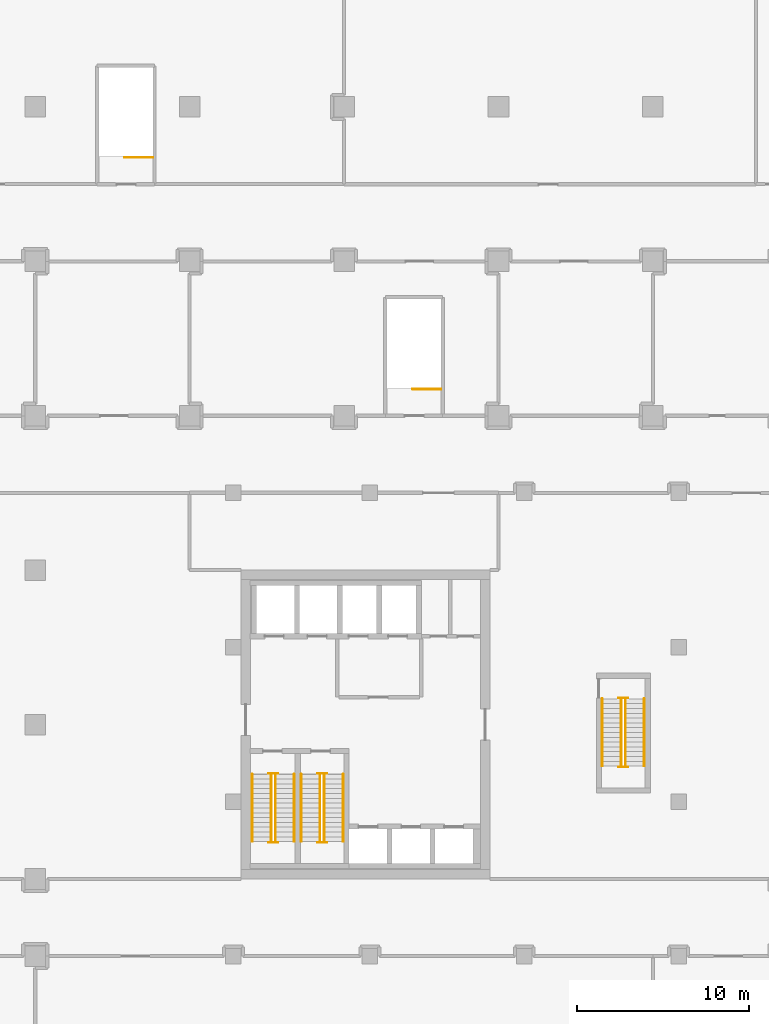
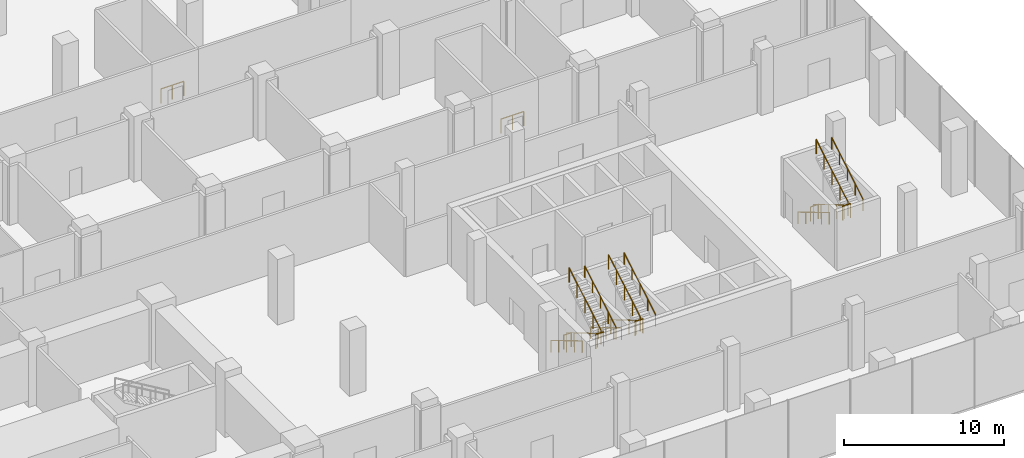
# One storey, part 36 of 36: 20 railings.
"""IFC4 building model written with IfcOpenShell, lengths in metres."""

from ifc_helpers import new_model, si_unit, direction, frame, origin, origin_2d, place, context, subcontext, project, spatial, circle, extrude, material, type_object, element, save


model = new_model("IFC4")

# Units and contexts
model_context = context("Model", 3, precision=1e-05, world=origin(), true_north=direction((0.0, 1.0)))
body_context = subcontext(model_context, "Body", "Model", "MODEL_VIEW")
ifc_project = project(units=[si_unit("LENGTHUNIT", "METRE"), si_unit("AREAUNIT", "SQUARE_METRE"), si_unit("VOLUMEUNIT", "CUBIC_METRE"), si_unit("PLANEANGLEUNIT", "RADIAN"), si_unit("MASSUNIT", "GRAM", prefix="KILO")], contexts=[model_context])

# Site, building, storey
site_placement = place(None, origin())
site = spatial("IfcSite", under=ifc_project, at=site_placement, CompositionType="ELEMENT")
building_placement = place(site_placement, origin())
building = spatial("IfcBuilding", under=site, at=building_placement, Name="Plateau Cross Towers", CompositionType="ELEMENT")
storey_placement = place(building_placement, frame((0.0, 0.0, 21.800048828125)))
storey = spatial("IfcBuildingStorey", under=building, at=storey_placement, Name="L04", CompositionType="ELEMENT", Elevation=21.800048828125)

# Railings
ifc_material_1 = material(Name="Stainless steel and toughened glass", Category="steel")
railing_type_1 = type_object("IfcRailingType", Name="RL-GUARD-1100", PredefinedType="GUARDRAIL", material=ifc_material_1)
railing_1_placement = place(storey_placement, frame((76.75, 6.10009765625, 0.16650390625)))
element("IfcRailing", 1, at=railing_1_placement, inside=storey, type_object=railing_type_1, Name="L04 SB-1 stair guard 1", PredefinedType="GUARDRAIL", context=body_context, shape_type="SweptSolid", body=[
    extrude(circle(Radius=0.02392578125, at=origin_2d()), frame((0.0, 0.0, 1.076171875), z_axis=(0.0, -0.859286724212, 0.511494208758), x_axis=(1.0, 0.0, 0.0)), (0.0, 0.0, 1.0), 4.56201171875),
    extrude(circle(Radius=0.02099609375, at=origin_2d()), origin(), (0.0, 0.0, 1.0), 1.052001953125),
    extrude(circle(Radius=0.02099609375, at=origin_2d()), frame((0.0, -0.97998046875, 0.58349609375)), (0.0, 0.0, 1.0), 1.052001953125),
    extrude(circle(Radius=0.02099609375, at=origin_2d()), frame((0.0, -1.9599609375, 1.166748046875)), (0.0, 0.0, 1.0), 1.052001953125),
    extrude(circle(Radius=0.02099609375, at=origin_2d()), frame((0.0, -2.940185546875, 1.75)), (0.0, 0.0, 1.0), 1.052001953125),
    extrude(circle(Radius=0.02099609375, at=origin_2d()), frame((0.0, -3.920166015625, 2.33349609375)), (0.0, 0.0, 1.0), 1.052001953125),
])
railing_2_placement = place(storey_placement, frame((76.60009765625, 2.1298828125, 2.5)))
element("IfcRailing", 2, at=railing_2_placement, inside=storey, type_object=railing_type_1, Name="L04 SB-1 stair guard 2", PredefinedType="GUARDRAIL", context=body_context, shape_type="SweptSolid", body=[
    extrude(circle(Radius=0.02392578125, at=origin_2d()), frame((0.0, 0.0, 1.076171875), z_axis=(1.0, 0.0, 0.0), x_axis=(0.0, 1.0, 0.0)), (0.0, 0.0, 1.0), 0.5498046875),
    extrude(circle(Radius=0.02099609375, at=origin_2d()), origin(), (0.0, 0.0, 1.0), 1.052001953125),
    extrude(circle(Radius=0.02099609375, at=origin_2d()), frame((0.5498046875, 0.0, 0.0)), (0.0, 0.0, 1.0), 1.052001953125),
])
railing_3_placement = place(storey_placement, frame((77.0, 2.179931640625, 2.66650390625)))
element("IfcRailing", 3, at=railing_3_placement, inside=storey, type_object=railing_type_1, Name="L04 SB-1 stair guard 3", PredefinedType="GUARDRAIL", context=body_context, shape_type="SweptSolid", body=[
    extrude(circle(Radius=0.02392578125, at=origin_2d()), frame((0.0, 0.0, 1.076171875), z_axis=(0.0, 0.862103166253, 0.506732800138), x_axis=(-1.0, 0.0, 0.0)), (0.0, 0.0, 1.0), 4.60498046875),
    extrude(circle(Radius=0.02099609375, at=origin_2d()), origin(), (0.0, 0.0, 1.0), 1.052001953125),
    extrude(circle(Radius=0.02099609375, at=origin_2d()), frame((0.0, 0.992431640625, 0.58349609375)), (0.0, 0.0, 1.0), 1.052001953125),
    extrude(circle(Radius=0.02099609375, at=origin_2d()), frame((0.0, 1.98486328125, 1.166748046875)), (0.0, 0.0, 1.0), 1.052001953125),
    extrude(circle(Radius=0.02099609375, at=origin_2d()), frame((0.0, 2.9775390625, 1.75)), (0.0, 0.0, 1.0), 1.052001953125),
    extrude(circle(Radius=0.02099609375, at=origin_2d()), frame((0.0, 3.969970703125, 2.33349609375)), (0.0, 0.0, 1.0), 1.052001953125),
])
railing_4_placement = place(storey_placement, frame((76.60009765625, 6.14990234375, 0.0)))
element("IfcRailing", 4, at=railing_4_placement, inside=storey, type_object=railing_type_1, Name="L04 SB-1 stair guard 4", PredefinedType="GUARDRAIL", context=body_context, shape_type="SweptSolid", body=[
    extrude(circle(Radius=0.02392578125, at=origin_2d()), frame((0.0, 0.0, 1.076171875), z_axis=(1.0, 0.0, 0.0), x_axis=(0.0, 1.0, 0.0)), (0.0, 0.0, 1.0), 0.5498046875),
    extrude(circle(Radius=0.02099609375, at=origin_2d()), origin(), (0.0, 0.0, 1.0), 1.052001953125),
    extrude(circle(Radius=0.02099609375, at=origin_2d()), frame((0.5498046875, 0.0, 0.0)), (0.0, 0.0, 1.0), 1.052001953125),
])
railing_5_placement = place(storey_placement, frame((79.60009765625, 6.10009765625, 0.16650390625)))
element("IfcRailing", 5, at=railing_5_placement, inside=storey, type_object=railing_type_1, Name="L04 SB-2 stair guard 1", PredefinedType="GUARDRAIL", context=body_context, shape_type="SweptSolid", body=[
    extrude(circle(Radius=0.02392578125, at=origin_2d()), frame((0.0, 0.0, 1.076171875), z_axis=(0.0, -0.859286724212, 0.511494208758), x_axis=(1.0, 0.0, 0.0)), (0.0, 0.0, 1.0), 4.56201171875),
    extrude(circle(Radius=0.02099609375, at=origin_2d()), origin(), (0.0, 0.0, 1.0), 1.052001953125),
    extrude(circle(Radius=0.02099609375, at=origin_2d()), frame((0.0, -0.97998046875, 0.58349609375)), (0.0, 0.0, 1.0), 1.052001953125),
    extrude(circle(Radius=0.02099609375, at=origin_2d()), frame((0.0, -1.9599609375, 1.166748046875)), (0.0, 0.0, 1.0), 1.052001953125),
    extrude(circle(Radius=0.02099609375, at=origin_2d()), frame((0.0, -2.940185546875, 1.75)), (0.0, 0.0, 1.0), 1.052001953125),
    extrude(circle(Radius=0.02099609375, at=origin_2d()), frame((0.0, -3.920166015625, 2.33349609375)), (0.0, 0.0, 1.0), 1.052001953125),
])
railing_6_placement = place(storey_placement, frame((79.449951171875, 2.1298828125, 2.5)))
element("IfcRailing", 6, at=railing_6_placement, inside=storey, type_object=railing_type_1, Name="L04 SB-2 stair guard 2", PredefinedType="GUARDRAIL", context=body_context, shape_type="SweptSolid", body=[
    extrude(circle(Radius=0.02392578125, at=origin_2d()), frame((0.0, 0.0, 1.076171875), z_axis=(1.0, 0.0, 0.0), x_axis=(0.0, 1.0, 0.0)), (0.0, 0.0, 1.0), 0.550048828125),
    extrude(circle(Radius=0.02099609375, at=origin_2d()), origin(), (0.0, 0.0, 1.0), 1.052001953125),
    extrude(circle(Radius=0.02099609375, at=origin_2d()), frame((0.550048828125, 0.0, 0.0)), (0.0, 0.0, 1.0), 1.052001953125),
])
railing_7_placement = place(storey_placement, frame((79.85009765625, 2.179931640625, 2.66650390625)))
element("IfcRailing", 7, at=railing_7_placement, inside=storey, type_object=railing_type_1, Name="L04 SB-2 stair guard 3", PredefinedType="GUARDRAIL", context=body_context, shape_type="SweptSolid", body=[
    extrude(circle(Radius=0.02392578125, at=origin_2d()), frame((0.0, 0.0, 1.076171875), z_axis=(0.0, 0.862103166253, 0.506732800138), x_axis=(-1.0, 0.0, 0.0)), (0.0, 0.0, 1.0), 4.60498046875),
    extrude(circle(Radius=0.02099609375, at=origin_2d()), origin(), (0.0, 0.0, 1.0), 1.052001953125),
    extrude(circle(Radius=0.02099609375, at=origin_2d()), frame((0.0, 0.992431640625, 0.58349609375)), (0.0, 0.0, 1.0), 1.052001953125),
    extrude(circle(Radius=0.02099609375, at=origin_2d()), frame((0.0, 1.98486328125, 1.166748046875)), (0.0, 0.0, 1.0), 1.052001953125),
    extrude(circle(Radius=0.02099609375, at=origin_2d()), frame((0.0, 2.9775390625, 1.75)), (0.0, 0.0, 1.0), 1.052001953125),
    extrude(circle(Radius=0.02099609375, at=origin_2d()), frame((0.0, 3.969970703125, 2.33349609375)), (0.0, 0.0, 1.0), 1.052001953125),
])
railing_8_placement = place(storey_placement, frame((79.449951171875, 6.14990234375, 0.0)))
element("IfcRailing", 8, at=railing_8_placement, inside=storey, type_object=railing_type_1, Name="L04 SB-2 stair guard 4", PredefinedType="GUARDRAIL", context=body_context, shape_type="SweptSolid", body=[
    extrude(circle(Radius=0.02392578125, at=origin_2d()), frame((0.0, 0.0, 1.076171875), z_axis=(1.0, 0.0, 0.0), x_axis=(0.0, 1.0, 0.0)), (0.0, 0.0, 1.0), 0.550048828125),
    extrude(circle(Radius=0.02099609375, at=origin_2d()), origin(), (0.0, 0.0, 1.0), 1.052001953125),
    extrude(circle(Radius=0.02099609375, at=origin_2d()), frame((0.550048828125, 0.0, 0.0)), (0.0, 0.0, 1.0), 1.052001953125),
])
railing_9_placement = place(storey_placement, frame((97.14990234375, 10.5, 0.16650390625)))
element("IfcRailing", 9, at=railing_9_placement, inside=storey, type_object=railing_type_1, Name="L04 SB-3 stair guard 1", PredefinedType="GUARDRAIL", context=body_context, shape_type="SweptSolid", body=[
    extrude(circle(Radius=0.02392578125, at=origin_2d()), frame((0.0, 0.0, 1.076171875), z_axis=(0.0, -0.859272722373, 0.511517730471), x_axis=(1.0, 0.0, 0.0)), (0.0, 0.0, 1.0), 4.56201171875),
    extrude(circle(Radius=0.02099609375, at=origin_2d()), origin(), (0.0, 0.0, 1.0), 1.052001953125),
    extrude(circle(Radius=0.02099609375, at=origin_2d()), frame((0.0, -0.97998046875, 0.58349609375)), (0.0, 0.0, 1.0), 1.052001953125),
    extrude(circle(Radius=0.02099609375, at=origin_2d()), frame((0.0, -1.9599609375, 1.166748046875)), (0.0, 0.0, 1.0), 1.052001953125),
    extrude(circle(Radius=0.02099609375, at=origin_2d()), frame((0.0, -2.93994140625, 1.75)), (0.0, 0.0, 1.0), 1.052001953125),
    extrude(circle(Radius=0.02099609375, at=origin_2d()), frame((0.0, -3.919921875, 2.33349609375)), (0.0, 0.0, 1.0), 1.052001953125),
])
railing_10_placement = place(storey_placement, frame((97.0, 6.530029296875, 2.5)))
element("IfcRailing", 10, at=railing_10_placement, inside=storey, type_object=railing_type_1, Name="L04 SB-3 stair guard 2", PredefinedType="GUARDRAIL", context=body_context, shape_type="SweptSolid", body=[
    extrude(circle(Radius=0.02392578125, at=origin_2d()), frame((0.0, 0.0, 1.076171875), z_axis=(1.0, 0.0, 0.0), x_axis=(0.0, 1.0, 0.0)), (0.0, 0.0, 1.0), 0.550048828125),
    extrude(circle(Radius=0.02099609375, at=origin_2d()), origin(), (0.0, 0.0, 1.0), 1.052001953125),
    extrude(circle(Radius=0.02099609375, at=origin_2d()), frame((0.550048828125, 0.0, 0.0)), (0.0, 0.0, 1.0), 1.052001953125),
])
railing_11_placement = place(storey_placement, frame((97.39990234375, 6.580078125, 2.66650390625)))
element("IfcRailing", 11, at=railing_11_placement, inside=storey, type_object=railing_type_1, Name="L04 SB-3 stair guard 3", PredefinedType="GUARDRAIL", context=body_context, shape_type="SweptSolid", body=[
    extrude(circle(Radius=0.02392578125, at=origin_2d()), frame((0.0, 0.0, 1.076171875), z_axis=(0.0, 0.862103166253, 0.506732800138), x_axis=(-1.0, 0.0, 0.0)), (0.0, 0.0, 1.0), 4.60498046875),
    extrude(circle(Radius=0.02099609375, at=origin_2d()), origin(), (0.0, 0.0, 1.0), 1.052001953125),
    extrude(circle(Radius=0.02099609375, at=origin_2d()), frame((0.0, 0.992431640625, 0.58349609375)), (0.0, 0.0, 1.0), 1.052001953125),
    extrude(circle(Radius=0.02099609375, at=origin_2d()), frame((0.0, 1.98486328125, 1.166748046875)), (0.0, 0.0, 1.0), 1.052001953125),
    extrude(circle(Radius=0.02099609375, at=origin_2d()), frame((0.0, 2.9775390625, 1.75)), (0.0, 0.0, 1.0), 1.052001953125),
    extrude(circle(Radius=0.02099609375, at=origin_2d()), frame((0.0, 3.969970703125, 2.33349609375)), (0.0, 0.0, 1.0), 1.052001953125),
])
railing_12_placement = place(storey_placement, frame((97.0, 10.550048828125, 0.0)))
element("IfcRailing", 12, at=railing_12_placement, inside=storey, type_object=railing_type_1, Name="L04 SB-3 stair guard 4", PredefinedType="GUARDRAIL", context=body_context, shape_type="SweptSolid", body=[
    extrude(circle(Radius=0.02392578125, at=origin_2d()), frame((0.0, 0.0, 1.076171875), z_axis=(1.0, 0.0, 0.0), x_axis=(0.0, 1.0, 0.0)), (0.0, 0.0, 1.0), 0.550048828125),
    extrude(circle(Radius=0.02099609375, at=origin_2d()), origin(), (0.0, 0.0, 1.0), 1.052001953125),
    extrude(circle(Radius=0.02099609375, at=origin_2d()), frame((0.550048828125, 0.0, 0.0)), (0.0, 0.0, 1.0), 1.052001953125),
])
railing_13_placement = place(storey_placement, frame((69.85009765625, 42.050048828125, 0.0)))
element("IfcRailing", 13, at=railing_13_placement, inside=storey, type_object=railing_type_1, Name="L04 PS3 top well guard 1", PredefinedType="GUARDRAIL", context=body_context, shape_type="SweptSolid", body=[
    extrude(circle(Radius=0.02392578125, at=origin_2d()), frame((0.0, 0.0, 1.076171875), z_axis=(-1.0, 0.0, 0.0), x_axis=(0.0, -1.0, 0.0)), (0.0, 0.0, 1.0), 1.650146484375),
    extrude(circle(Radius=0.02099609375, at=origin_2d()), origin(), (0.0, 0.0, 1.0), 1.052001953125),
    extrude(circle(Radius=0.02099609375, at=origin_2d()), frame((-0.8251953125, 0.0, 0.0)), (0.0, 0.0, 1.0), 1.052001953125),
    extrude(circle(Radius=0.02099609375, at=origin_2d()), frame((-1.650146484375, 0.0, 0.0)), (0.0, 0.0, 1.0), 1.052001953125),
])
railing_14_placement = place(storey_placement, frame((86.64990234375, 28.550048828125, 0.0)))
element("IfcRailing", 14, at=railing_14_placement, inside=storey, type_object=railing_type_1, Name="L04 PS5 top well guard 1", PredefinedType="GUARDRAIL", context=body_context, shape_type="SweptSolid", body=[
    extrude(circle(Radius=0.02392578125, at=origin_2d()), frame((0.0, 0.0, 1.076171875), z_axis=(-1.0, 0.0, 0.0), x_axis=(0.0, -1.0, 0.0)), (0.0, 0.0, 1.0), 1.64990234375),
    extrude(circle(Radius=0.02099609375, at=origin_2d()), origin(), (0.0, 0.0, 1.0), 1.052001953125),
    extrude(circle(Radius=0.02099609375, at=origin_2d()), frame((-0.824951171875, 0.0, 0.0)), (0.0, 0.0, 1.0), 1.052001953125),
    extrude(circle(Radius=0.02099609375, at=origin_2d()), frame((-1.64990234375, 0.0, 0.0)), (0.0, 0.0, 1.0), 1.052001953125),
])
ifc_material_2 = material(Name="Black anodised aluminium", Category="aluminium")
railing_type_2 = type_object("IfcRailingType", Name="RL-HANDRAIL-900", PredefinedType="HANDRAIL", material=ifc_material_2)
railing_15_placement = place(storey_placement, frame((75.64990234375, 6.10009765625, 0.16650390625)))
element("IfcRailing", 15, at=railing_15_placement, inside=storey, type_object=railing_type_2, Name="L04 SB-1 stair handrail 1", PredefinedType="HANDRAIL", context=body_context, shape_type="SweptSolid", body=[
    extrude(circle(Radius=0.02392578125, at=origin_2d()), frame((0.0, 0.0, 0.8759765625), z_axis=(0.0, -0.859286724212, 0.511494208758), x_axis=(1.0, 0.0, 0.0)), (0.0, 0.0, 1.0), 4.56201171875),
    extrude(circle(Radius=0.02099609375, at=origin_2d()), origin(), (0.0, 0.0, 1.0), 0.851806640625),
    extrude(circle(Radius=0.02099609375, at=origin_2d()), frame((0.0, -0.97998046875, 0.58349609375)), (0.0, 0.0, 1.0), 0.851806640625),
    extrude(circle(Radius=0.02099609375, at=origin_2d()), frame((0.0, -1.9599609375, 1.166748046875)), (0.0, 0.0, 1.0), 0.851806640625),
    extrude(circle(Radius=0.02099609375, at=origin_2d()), frame((0.0, -2.940185546875, 1.75)), (0.0, 0.0, 1.0), 0.851806640625),
    extrude(circle(Radius=0.02099609375, at=origin_2d()), frame((0.0, -3.920166015625, 2.33349609375)), (0.0, 0.0, 1.0), 0.851806640625),
])
railing_16_placement = place(storey_placement, frame((78.10009765625, 2.179931640625, 2.66650390625)))
element("IfcRailing", 16, at=railing_16_placement, inside=storey, type_object=railing_type_2, Name="L04 SB-1 stair handrail 2", PredefinedType="HANDRAIL", context=body_context, shape_type="SweptSolid", body=[
    extrude(circle(Radius=0.02392578125, at=origin_2d()), frame((0.0, 0.0, 0.8759765625), z_axis=(0.0, 0.859286724212, 0.511494208758), x_axis=(-1.0, 0.0, 0.0)), (0.0, 0.0, 1.0), 4.56201171875),
    extrude(circle(Radius=0.02099609375, at=origin_2d()), origin(), (0.0, 0.0, 1.0), 0.851806640625),
    extrude(circle(Radius=0.02099609375, at=origin_2d()), frame((0.0, 0.97998046875, 0.58349609375)), (0.0, 0.0, 1.0), 0.851806640625),
    extrude(circle(Radius=0.02099609375, at=origin_2d()), frame((0.0, 1.9599609375, 1.166748046875)), (0.0, 0.0, 1.0), 0.851806640625),
    extrude(circle(Radius=0.02099609375, at=origin_2d()), frame((0.0, 2.940185546875, 1.75)), (0.0, 0.0, 1.0), 0.851806640625),
    extrude(circle(Radius=0.02099609375, at=origin_2d()), frame((0.0, 3.920166015625, 2.33349609375)), (0.0, 0.0, 1.0), 0.851806640625),
])
railing_17_placement = place(storey_placement, frame((78.5, 6.10009765625, 0.16650390625)))
element("IfcRailing", 17, at=railing_17_placement, inside=storey, type_object=railing_type_2, Name="L04 SB-2 stair handrail 1", PredefinedType="HANDRAIL", context=body_context, shape_type="SweptSolid", body=[
    extrude(circle(Radius=0.02392578125, at=origin_2d()), frame((0.0, 0.0, 0.8759765625), z_axis=(0.0, -0.859286724212, 0.511494208758), x_axis=(1.0, 0.0, 0.0)), (0.0, 0.0, 1.0), 4.56201171875),
    extrude(circle(Radius=0.02099609375, at=origin_2d()), origin(), (0.0, 0.0, 1.0), 0.851806640625),
    extrude(circle(Radius=0.02099609375, at=origin_2d()), frame((0.0, -0.97998046875, 0.58349609375)), (0.0, 0.0, 1.0), 0.851806640625),
    extrude(circle(Radius=0.02099609375, at=origin_2d()), frame((0.0, -1.9599609375, 1.166748046875)), (0.0, 0.0, 1.0), 0.851806640625),
    extrude(circle(Radius=0.02099609375, at=origin_2d()), frame((0.0, -2.940185546875, 1.75)), (0.0, 0.0, 1.0), 0.851806640625),
    extrude(circle(Radius=0.02099609375, at=origin_2d()), frame((0.0, -3.920166015625, 2.33349609375)), (0.0, 0.0, 1.0), 0.851806640625),
])
railing_18_placement = place(storey_placement, frame((80.949951171875, 2.179931640625, 2.66650390625)))
element("IfcRailing", 18, at=railing_18_placement, inside=storey, type_object=railing_type_2, Name="L04 SB-2 stair handrail 2", PredefinedType="HANDRAIL", context=body_context, shape_type="SweptSolid", body=[
    extrude(circle(Radius=0.02392578125, at=origin_2d()), frame((0.0, 0.0, 0.8759765625), z_axis=(0.0, 0.859286724212, 0.511494208758), x_axis=(-1.0, 0.0, 0.0)), (0.0, 0.0, 1.0), 4.56201171875),
    extrude(circle(Radius=0.02099609375, at=origin_2d()), origin(), (0.0, 0.0, 1.0), 0.851806640625),
    extrude(circle(Radius=0.02099609375, at=origin_2d()), frame((0.0, 0.97998046875, 0.58349609375)), (0.0, 0.0, 1.0), 0.851806640625),
    extrude(circle(Radius=0.02099609375, at=origin_2d()), frame((0.0, 1.9599609375, 1.166748046875)), (0.0, 0.0, 1.0), 0.851806640625),
    extrude(circle(Radius=0.02099609375, at=origin_2d()), frame((0.0, 2.940185546875, 1.75)), (0.0, 0.0, 1.0), 0.851806640625),
    extrude(circle(Radius=0.02099609375, at=origin_2d()), frame((0.0, 3.920166015625, 2.33349609375)), (0.0, 0.0, 1.0), 0.851806640625),
])
railing_19_placement = place(storey_placement, frame((96.050048828125, 10.5, 0.16650390625)))
element("IfcRailing", 19, at=railing_19_placement, inside=storey, type_object=railing_type_2, Name="L04 SB-3 stair handrail 1", PredefinedType="HANDRAIL", context=body_context, shape_type="SweptSolid", body=[
    extrude(circle(Radius=0.02392578125, at=origin_2d()), frame((0.0, 0.0, 0.8759765625), z_axis=(0.0, -0.859272722373, 0.511517730471), x_axis=(1.0, 0.0, 0.0)), (0.0, 0.0, 1.0), 4.56201171875),
    extrude(circle(Radius=0.02099609375, at=origin_2d()), origin(), (0.0, 0.0, 1.0), 0.851806640625),
    extrude(circle(Radius=0.02099609375, at=origin_2d()), frame((0.0, -0.97998046875, 0.58349609375)), (0.0, 0.0, 1.0), 0.851806640625),
    extrude(circle(Radius=0.02099609375, at=origin_2d()), frame((0.0, -1.9599609375, 1.166748046875)), (0.0, 0.0, 1.0), 0.851806640625),
    extrude(circle(Radius=0.02099609375, at=origin_2d()), frame((0.0, -2.93994140625, 1.75)), (0.0, 0.0, 1.0), 0.851806640625),
    extrude(circle(Radius=0.02099609375, at=origin_2d()), frame((0.0, -3.919921875, 2.33349609375)), (0.0, 0.0, 1.0), 0.851806640625),
])
railing_20_placement = place(storey_placement, frame((98.5, 6.580078125, 2.66650390625)))
element("IfcRailing", 20, at=railing_20_placement, inside=storey, type_object=railing_type_2, Name="L04 SB-3 stair handrail 2", PredefinedType="HANDRAIL", context=body_context, shape_type="SweptSolid", body=[
    extrude(circle(Radius=0.02392578125, at=origin_2d()), frame((0.0, 0.0, 0.8759765625), z_axis=(0.0, 0.859272722373, 0.511517730471), x_axis=(-1.0, 0.0, 0.0)), (0.0, 0.0, 1.0), 4.56201171875),
    extrude(circle(Radius=0.02099609375, at=origin_2d()), origin(), (0.0, 0.0, 1.0), 0.851806640625),
    extrude(circle(Radius=0.02099609375, at=origin_2d()), frame((0.0, 0.97998046875, 0.58349609375)), (0.0, 0.0, 1.0), 0.851806640625),
    extrude(circle(Radius=0.02099609375, at=origin_2d()), frame((0.0, 1.9599609375, 1.166748046875)), (0.0, 0.0, 1.0), 0.851806640625),
    extrude(circle(Radius=0.02099609375, at=origin_2d()), frame((0.0, 2.93994140625, 1.75)), (0.0, 0.0, 1.0), 0.851806640625),
    extrude(circle(Radius=0.02099609375, at=origin_2d()), frame((0.0, 3.919921875, 2.33349609375)), (0.0, 0.0, 1.0), 0.851806640625),
])

save(model, "model.ifc")
